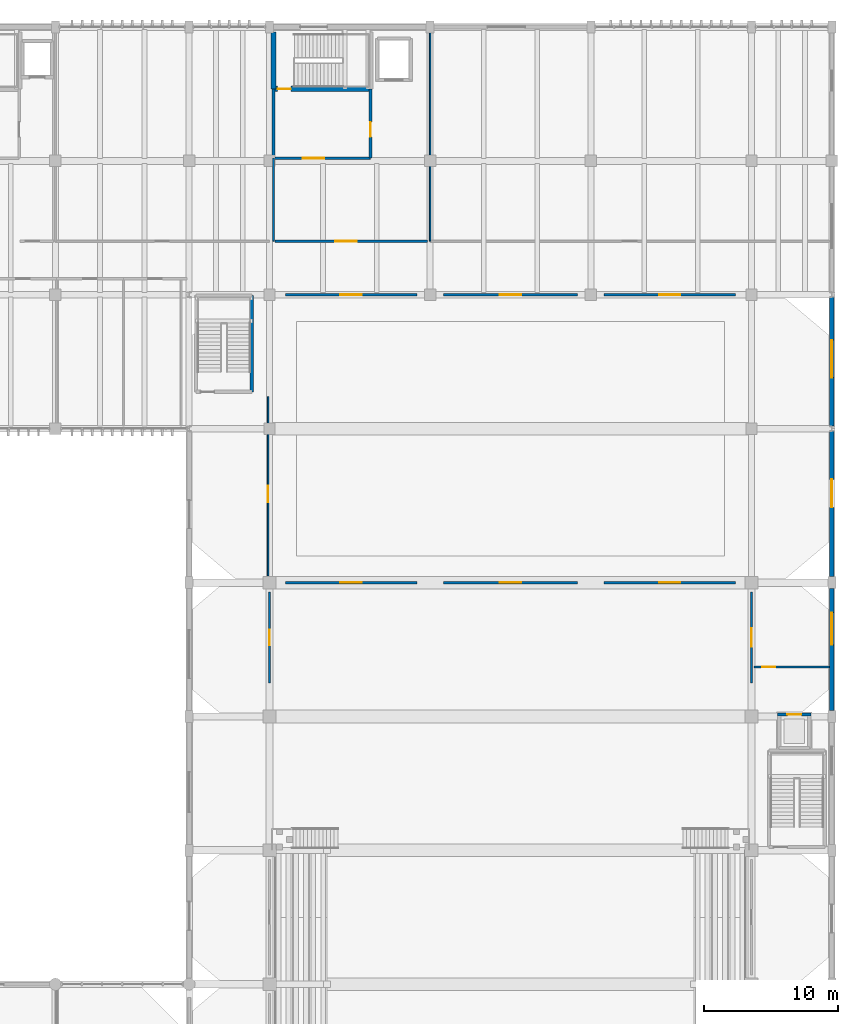
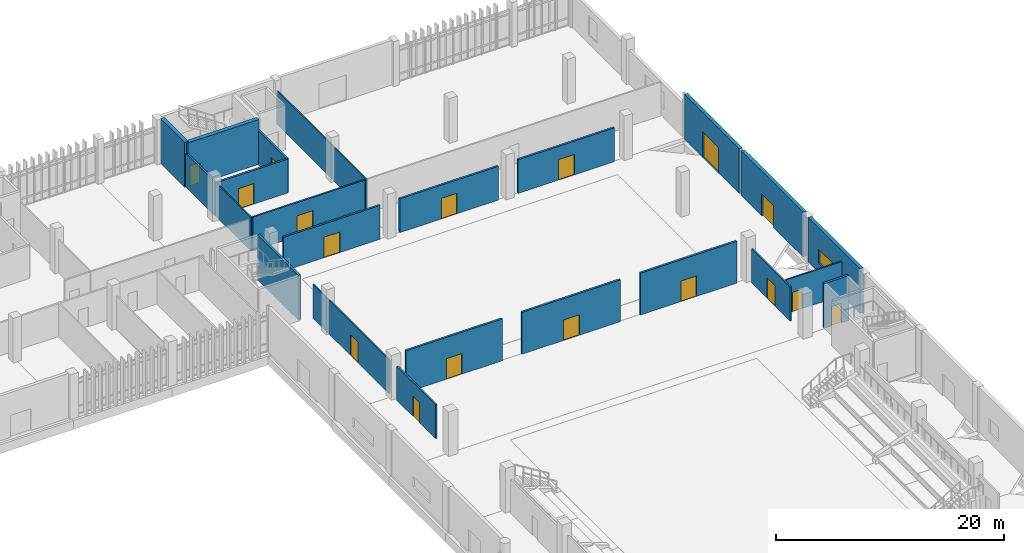
# One storey, part 77 of 87: 23 walls, 17 doors, 1 window, 18 openings.
"""IFC4 building model written with IfcOpenShell, lengths in metres."""

from ifc_helpers import new_model, si_unit, direction, frame, frame_2d, origin, place, context, subcontext, project, spatial, rectangle, extrude, material, layer, layer_set, type_object, element, fill, save


model = new_model("IFC4")

# Units and contexts
model_context = context("Model", 3, precision=1e-05, world=origin(), true_north=direction((0.0, 1.0)))
body_context = subcontext(model_context, "Body", "Model", "MODEL_VIEW")
ifc_project = project(units=[si_unit("LENGTHUNIT", "METRE"), si_unit("AREAUNIT", "SQUARE_METRE"), si_unit("VOLUMEUNIT", "CUBIC_METRE"), si_unit("PLANEANGLEUNIT", "RADIAN"), si_unit("MASSUNIT", "GRAM", prefix="KILO")], contexts=[model_context])

# Site, building, storey
site_placement = place(None, origin())
site = spatial("IfcSite", under=ifc_project, at=site_placement, CompositionType="ELEMENT")
building_placement = place(site_placement, origin())
building = spatial("IfcBuilding", under=site, at=building_placement, Name="Mersad Railyard Sports Hall", CompositionType="ELEMENT")
storey_placement = place(building_placement, origin())
storey = spatial("IfcBuildingStorey", under=building, at=storey_placement, Name="L00", CompositionType="ELEMENT", Elevation=0.0)

# Wall, opening, window
ifc_material_1 = material(Name="Architectural concrete C50/60", Category="concrete")
ifc_layer_1 = layer(ifc_material_1, 0.35009765625)
ifc_layer_set_1 = layer_set([ifc_layer_1], Name="Architectural concrete C50/60")
wall_type_1 = type_object("IfcWallType", Name="ARC-WL-EW02", PredefinedType="SOLIDWALL", material=ifc_layer_set_1)
wall_1_placement = place(storey_placement, frame((179.0, 73.050048828125, 0.0), z_axis=(0.0, 0.0, 1.0), x_axis=(0.0, -1.0, 0.0)))
wall_1 = element("IfcWall", 1, at=wall_1_placement, inside=storey, type_object=wall_type_1, Name="External wall EW02-0090", PredefinedType="SOLIDWALL", context=body_context, shape_type="SweptSolid", body=[
    extrude(rectangle(XDim=9.10009765625, YDim=0.35009765625, at=frame_2d((4.550048828125, 0.0))), origin(), (0.0, 0.0, 1.0), 4.800048828125),
])
opening_1_placement = place(wall_1_placement, frame((1.800048828125, 0.0, 1.0)))
opening_1 = element("IfcOpeningElement", 2, at=opening_1_placement, cuts=wall_1, Name="Opening W07", PredefinedType="OPENING", context=body_context, shape_type="SweptSolid", body=[
    extrude(rectangle(XDim=2.39990234375, YDim=1.5, at=frame_2d((1.199951171875, 0.75))), frame((0.0, 0.18505859375, 0.0), z_axis=(0.0, -1.0, 0.0), x_axis=(1.0, 0.0, 0.0)), (0.0, 0.0, 1.0), 0.3701171875),
])
ifc_material_2 = material(Name="Solar-control glass", Category="glass")
window_type = type_object("IfcWindowType", Name="ARC-WN-W07", PartitioningType="DOUBLE_PANEL_VERTICAL", PredefinedType="WINDOW", material=ifc_material_2)
window_placement = place(opening_1_placement, origin())
window = element("IfcWindow", 3, at=window_placement, inside=storey, type_object=window_type, Name="Window W07-0020", OverallHeight=1.5, OverallWidth=2.39990234375, PartitioningType="DOUBLE_PANEL_VERTICAL", PredefinedType="WINDOW", context=body_context, shape_type="SweptSolid", body=[
    extrude(rectangle(XDim=2.39990234375, YDim=1.5, at=frame_2d((1.199951171875, 0.75))), frame((0.0, 0.030029296875, 0.0), z_axis=(0.0, -1.0, 0.0), x_axis=(1.0, 0.0, 0.0)), (0.0, 0.0, 1.0), 0.06005859375),
])
fill(opening_1, window)

# Wall, opening, door
wall_2_placement = place(storey_placement, frame((179.0, 84.820068359375, 0.0), z_axis=(0.0, 0.0, 1.0), x_axis=(0.0, -1.0, 0.0)))
wall_2 = element("IfcWall", 4, at=wall_2_placement, inside=storey, type_object=wall_type_1, Name="External wall EW02-0091", PredefinedType="SOLIDWALL", context=body_context, shape_type="SweptSolid", body=[
    extrude(rectangle(XDim=10.8701171875, YDim=0.35009765625, at=frame_2d((5.43505859375, 0.0))), origin(), (0.0, 0.0, 1.0), 4.800048828125),
])
opening_2_placement = place(wall_2_placement, frame((3.60009765625, 0.0, 0.0)))
opening_2 = element("IfcOpeningElement", 5, at=opening_2_placement, cuts=wall_2, Name="Opening ED02", PredefinedType="OPENING", context=body_context, shape_type="SweptSolid", body=[
    extrude(rectangle(XDim=2.10009765625, YDim=2.35009765625, at=frame_2d((1.050048828125, 1.175048828125))), frame((0.0, 0.18505859375, 0.0), z_axis=(0.0, -1.0, 0.0), x_axis=(1.0, 0.0, 0.0)), (0.0, 0.0, 1.0), 0.3701171875),
])
ifc_material_3 = material(Name="Aluminium 6063-T6", Category="aluminium")
door_type_1 = type_object("IfcDoorType", Name="ARC-DR-ED02", OperationType="NOTDEFINED", PredefinedType="DOOR", material=ifc_material_3)
door_1_placement = place(opening_2_placement, origin())
door_1 = element("IfcDoor", 6, at=door_1_placement, inside=storey, type_object=door_type_1, Name="East concourse exit door ED02-027", OperationType="DOUBLE_DOOR_SINGLE_SWING", OverallHeight=2.35009765625, OverallWidth=2.10009765625, PredefinedType="DOOR", context=body_context, shape_type="SweptSolid", body=[
    extrude(rectangle(XDim=2.10009765625, YDim=2.35009765625, at=frame_2d((1.050048828125, 1.175048828125))), frame((0.0, 0.02490234375, 0.0), z_axis=(0.0, -1.0, 0.0), x_axis=(1.0, 0.0, 0.0)), (0.0, 0.0, 1.0), 0.050048828125),
])
fill(opening_2, door_1)

wall_3_placement = place(storey_placement, frame((179.0, 94.820068359375, 0.0), z_axis=(0.0, 0.0, 1.0), x_axis=(0.0, -1.0, 0.0)))
wall_3 = element("IfcWall", 7, at=wall_3_placement, inside=storey, type_object=wall_type_1, Name="External wall EW02-0092", PredefinedType="SOLIDWALL", context=body_context, shape_type="SweptSolid", body=[
    extrude(rectangle(XDim=9.64013671875, YDim=0.35009765625, at=frame_2d((4.820068359375, 0.0))), origin(), (0.0, 0.0, 1.0), 4.800048828125),
])
opening_3_placement = place(wall_3_placement, frame((3.199951171875, 0.0, 0.0)))
opening_3 = element("IfcOpeningElement", 8, at=opening_3_placement, cuts=wall_3, Name="Opening GT01", PredefinedType="OPENING", context=body_context, shape_type="SweptSolid", body=[
    extrude(rectangle(XDim=2.800048828125, YDim=2.699951171875, at=frame_2d((1.39990234375, 1.35009765625))), frame((0.0, 0.18505859375, 0.0), z_axis=(0.0, -1.0, 0.0), x_axis=(1.0, 0.0, 0.0)), (0.0, 0.0, 1.0), 0.3701171875),
])
ifc_material_4 = material(Name="Steel S355", Category="steel")
door_type_2 = type_object("IfcDoorType", Name="ARC-DR-GT01", OperationType="NOTDEFINED", PredefinedType="GATE", material=ifc_material_4)
door_2_placement = place(opening_3_placement, origin())
door_2 = element("IfcDoor", 9, at=door_2_placement, inside=storey, type_object=door_type_2, Name="Climbing equipment gate GT01-028", OperationType="DOUBLE_DOOR_SINGLE_SWING", OverallHeight=2.699951171875, OverallWidth=2.800048828125, PredefinedType="GATE", context=body_context, shape_type="SweptSolid", body=[
    extrude(rectangle(XDim=2.800048828125, YDim=2.699951171875, at=frame_2d((1.39990234375, 1.35009765625))), frame((0.0, 0.02490234375, 0.0), z_axis=(0.0, -1.0, 0.0), x_axis=(1.0, 0.0, 0.0)), (0.0, 0.0, 1.0), 0.050048828125),
])
fill(opening_3, door_2)

# Wall
ifc_material_5 = material(Name="Precast concrete C45/55", Category="concrete")
ifc_layer_2 = layer(ifc_material_5, 0.199951171875)
ifc_layer_set_2 = layer_set([ifc_layer_2], Name="Precast concrete C45/55")
wall_type_2 = type_object("IfcWallType", Name="ARC-WL-PT01", PredefinedType="PARTITIONING", material=ifc_layer_set_2)
wall_4_placement = place(storey_placement, frame((137.300048828125, 105.199951171875, 0.0), z_axis=(0.0, 0.0, 1.0), x_axis=(0.0, 1.0, 0.0)))
element("IfcWall", 10, at=wall_4_placement, inside=storey, type_object=wall_type_2, Name="Interior wall PT01-0287", PredefinedType="PARTITIONING", context=body_context, shape_type="SweptSolid", body=[
    extrude(rectangle(XDim=5.179931640625, YDim=0.199951171875, at=frame_2d((2.58984375, 0.0))), origin(), (0.0, 0.0, 1.0), 3.625),
])

# Wall, opening, door
wall_5_placement = place(storey_placement, frame((137.300048828125, 105.199951171875, 0.0), z_axis=(0.0, 0.0, 1.0), x_axis=(1.0, 0.0, 0.0)))
wall_5 = element("IfcWall", 11, at=wall_5_placement, inside=storey, type_object=wall_type_2, Name="Interior wall PT01-0288", PredefinedType="PARTITIONING", context=body_context, shape_type="SweptSolid", body=[
    extrude(rectangle(XDim=7.25, YDim=0.199951171875, at=frame_2d((3.625, 0.0))), origin(), (0.0, 0.0, 1.0), 3.625),
])
opening_4_placement = place(wall_5_placement, frame((2.199951171875, 0.0, 0.0)))
opening_4 = element("IfcOpeningElement", 12, at=opening_4_placement, cuts=wall_5, Name="Opening FD04", PredefinedType="OPENING", context=body_context, shape_type="SweptSolid", body=[
    extrude(rectangle(XDim=1.60009765625, YDim=2.199951171875, at=frame_2d((0.800048828125, 1.10009765625))), frame((0.0, 0.10986328125, 0.0), z_axis=(0.0, -1.0, 0.0), x_axis=(1.0, 0.0, 0.0)), (0.0, 0.0, 1.0), 0.219970703125),
])
door_type_3 = type_object("IfcDoorType", Name="ARC-DR-FD04", OperationType="NOTDEFINED", PredefinedType="DOOR", material=ifc_material_4)
door_3_placement = place(opening_4_placement, origin())
door_3 = element("IfcDoor", 13, at=door_3_placement, inside=storey, type_object=door_type_3, Name="C4 firefighting lobby door FD04-0130", OperationType="DOUBLE_DOOR_SINGLE_SWING", OverallHeight=2.199951171875, OverallWidth=1.60009765625, PredefinedType="DOOR", context=body_context, shape_type="SweptSolid", body=[
    extrude(rectangle(XDim=1.60009765625, YDim=2.199951171875, at=frame_2d((0.800048828125, 1.10009765625))), frame((0.0, 0.02490234375, 0.0), z_axis=(0.0, -1.0, 0.0), x_axis=(1.0, 0.0, 0.0)), (0.0, 0.0, 1.0), 0.050048828125),
])
fill(opening_4, door_3)

wall_6_placement = place(storey_placement, frame((144.550048828125, 105.199951171875, 0.0), z_axis=(0.0, 0.0, 1.0), x_axis=(0.0, 1.0, 0.0)))
wall_6 = element("IfcWall", 14, at=wall_6_placement, inside=storey, type_object=wall_type_2, Name="Interior wall PT01-0289", PredefinedType="PARTITIONING", context=body_context, shape_type="SweptSolid", body=[
    extrude(rectangle(XDim=5.179931640625, YDim=0.199951171875, at=frame_2d((2.58984375, 0.0))), origin(), (0.0, 0.0, 1.0), 3.625),
])
opening_5_placement = place(wall_6_placement, frame((1.60009765625, 0.0, 0.0)))
opening_5 = element("IfcOpeningElement", 15, at=opening_5_placement, cuts=wall_6, Name="Opening FD01", PredefinedType="OPENING", context=body_context, shape_type="SweptSolid", body=[
    extrude(rectangle(XDim=1.10009765625, YDim=2.14990234375, at=frame_2d((0.550048828125, 1.074951171875))), frame((0.0, 0.10986328125, 0.0), z_axis=(0.0, -1.0, 0.0), x_axis=(1.0, 0.0, 0.0)), (0.0, 0.0, 1.0), 0.219970703125),
])
door_type_4 = type_object("IfcDoorType", Name="ARC-DR-FD01", OperationType="NOTDEFINED", PredefinedType="DOOR", material=ifc_material_4)
door_4_placement = place(opening_5_placement, origin())
door_4 = element("IfcDoor", 16, at=door_4_placement, inside=storey, type_object=door_type_4, Name="C4 lift-to-firefighting lobby door FD01-0131", OperationType="SINGLE_SWING_LEFT", OverallHeight=2.14990234375, OverallWidth=1.10009765625, PredefinedType="DOOR", context=body_context, shape_type="SweptSolid", body=[
    extrude(rectangle(XDim=1.10009765625, YDim=2.14990234375, at=frame_2d((0.550048828125, 1.074951171875))), frame((0.0, 0.02490234375, 0.0), z_axis=(0.0, -1.0, 0.0), x_axis=(1.0, 0.0, 0.0)), (0.0, 0.0, 1.0), 0.050048828125),
])
fill(opening_5, door_4)

wall_7_placement = place(storey_placement, frame((138.199951171875, 73.5, 0.0), z_axis=(0.0, 0.0, 1.0), x_axis=(1.0, 0.0, 0.0)))
wall_7 = element("IfcWall", 17, at=wall_7_placement, inside=storey, type_object=wall_type_2, Name="Interior wall PT01-0551", PredefinedType="PARTITIONING", context=body_context, shape_type="SweptSolid", body=[
    extrude(rectangle(XDim=9.800048828125, YDim=0.199951171875, at=frame_2d((4.89990234375, 0.0))), origin(), (0.0, 0.0, 1.0), 4.489990234375),
])
opening_6_placement = place(wall_7_placement, frame((4.10009765625, 0.0, 0.0)))
opening_6 = element("IfcOpeningElement", 18, at=opening_6_placement, cuts=wall_7, Name="Opening FD04", PredefinedType="OPENING", context=body_context, shape_type="SweptSolid", body=[
    extrude(rectangle(XDim=1.60009765625, YDim=2.199951171875, at=frame_2d((0.800048828125, 1.10009765625))), frame((0.0, 0.10986328125, 0.0), z_axis=(0.0, -1.0, 0.0), x_axis=(1.0, 0.0, 0.0)), (0.0, 0.0, 1.0), 0.219970703125),
])
door_5_placement = place(opening_6_placement, origin())
door_5 = element("IfcDoor", 19, at=door_5_placement, inside=storey, type_object=door_type_3, Name="Show court to climbing hall door FD04-0254", OperationType="DOUBLE_DOOR_SINGLE_SWING", OverallHeight=2.199951171875, OverallWidth=1.60009765625, PredefinedType="DOOR", context=body_context, shape_type="SweptSolid", body=[
    extrude(rectangle(XDim=1.60009765625, YDim=2.199951171875, at=frame_2d((0.800048828125, 1.10009765625))), frame((0.0, 0.02490234375, 0.0), z_axis=(0.0, -1.0, 0.0), x_axis=(1.0, 0.0, 0.0)), (0.0, 0.0, 1.0), 0.050048828125),
])
fill(opening_6, door_5)

wall_8_placement = place(storey_placement, frame((138.199951171875, 95.0, 0.0), z_axis=(0.0, 0.0, 1.0), x_axis=(1.0, 0.0, 0.0)))
wall_8 = element("IfcWall", 20, at=wall_8_placement, inside=storey, type_object=wall_type_2, Name="Interior wall PT01-0552", PredefinedType="PARTITIONING", context=body_context, shape_type="SweptSolid", body=[
    extrude(rectangle(XDim=9.800048828125, YDim=0.199951171875, at=frame_2d((4.89990234375, 0.0))), origin(), (0.0, 0.0, 1.0), 3.625),
])
opening_7_placement = place(wall_8_placement, frame((4.10009765625, 0.0, 0.0)))
opening_7 = element("IfcOpeningElement", 21, at=opening_7_placement, cuts=wall_8, Name="Opening FD04", PredefinedType="OPENING", context=body_context, shape_type="SweptSolid", body=[
    extrude(rectangle(XDim=1.60009765625, YDim=2.199951171875, at=frame_2d((0.800048828125, 1.10009765625))), frame((0.0, 0.10986328125, 0.0), z_axis=(0.0, -1.0, 0.0), x_axis=(1.0, 0.0, 0.0)), (0.0, 0.0, 1.0), 0.219970703125),
])
door_6_placement = place(opening_7_placement, origin())
door_6 = element("IfcDoor", 22, at=door_6_placement, inside=storey, type_object=door_type_3, Name="Climbing hall to wing door FD04-0255", OperationType="DOUBLE_DOOR_SINGLE_SWING", OverallHeight=2.199951171875, OverallWidth=1.60009765625, PredefinedType="DOOR", context=body_context, shape_type="SweptSolid", body=[
    extrude(rectangle(XDim=1.60009765625, YDim=2.199951171875, at=frame_2d((0.800048828125, 1.10009765625))), frame((0.0, 0.02490234375, 0.0), z_axis=(0.0, -1.0, 0.0), x_axis=(1.0, 0.0, 0.0)), (0.0, 0.0, 1.0), 0.050048828125),
])
fill(opening_7, door_6)

wall_9_placement = place(storey_placement, frame((150.0, 73.5, 0.0), z_axis=(0.0, 0.0, 1.0), x_axis=(1.0, 0.0, 0.0)))
wall_9 = element("IfcWall", 23, at=wall_9_placement, inside=storey, type_object=wall_type_2, Name="Interior wall PT01-0553", PredefinedType="PARTITIONING", context=body_context, shape_type="SweptSolid", body=[
    extrude(rectangle(XDim=10.0, YDim=0.199951171875, at=frame_2d((5.0, 0.0))), origin(), (0.0, 0.0, 1.0), 4.489990234375),
])
opening_8_placement = place(wall_9_placement, frame((4.199951171875, 0.0, 0.0)))
opening_8 = element("IfcOpeningElement", 24, at=opening_8_placement, cuts=wall_9, Name="Opening FD04", PredefinedType="OPENING", context=body_context, shape_type="SweptSolid", body=[
    extrude(rectangle(XDim=1.60009765625, YDim=2.199951171875, at=frame_2d((0.800048828125, 1.10009765625))), frame((0.0, 0.10986328125, 0.0), z_axis=(0.0, -1.0, 0.0), x_axis=(1.0, 0.0, 0.0)), (0.0, 0.0, 1.0), 0.219970703125),
])
door_7_placement = place(opening_8_placement, origin())
door_7 = element("IfcDoor", 25, at=door_7_placement, inside=storey, type_object=door_type_3, Name="Show court to climbing hall door FD04-0256", OperationType="DOUBLE_DOOR_SINGLE_SWING", OverallHeight=2.199951171875, OverallWidth=1.60009765625, PredefinedType="DOOR", context=body_context, shape_type="SweptSolid", body=[
    extrude(rectangle(XDim=1.60009765625, YDim=2.199951171875, at=frame_2d((0.800048828125, 1.10009765625))), frame((0.0, 0.02490234375, 0.0), z_axis=(0.0, -1.0, 0.0), x_axis=(1.0, 0.0, 0.0)), (0.0, 0.0, 1.0), 0.050048828125),
])
fill(opening_8, door_7)

wall_10_placement = place(storey_placement, frame((150.0, 95.0, 0.0), z_axis=(0.0, 0.0, 1.0), x_axis=(1.0, 0.0, 0.0)))
wall_10 = element("IfcWall", 26, at=wall_10_placement, inside=storey, type_object=wall_type_2, Name="Interior wall PT01-0554", PredefinedType="PARTITIONING", context=body_context, shape_type="SweptSolid", body=[
    extrude(rectangle(XDim=10.0, YDim=0.199951171875, at=frame_2d((5.0, 0.0))), origin(), (0.0, 0.0, 1.0), 3.625),
])
opening_9_placement = place(wall_10_placement, frame((4.199951171875, 0.0, 0.0)))
opening_9 = element("IfcOpeningElement", 27, at=opening_9_placement, cuts=wall_10, Name="Opening FD04", PredefinedType="OPENING", context=body_context, shape_type="SweptSolid", body=[
    extrude(rectangle(XDim=1.60009765625, YDim=2.199951171875, at=frame_2d((0.800048828125, 1.10009765625))), frame((0.0, 0.10986328125, 0.0), z_axis=(0.0, -1.0, 0.0), x_axis=(1.0, 0.0, 0.0)), (0.0, 0.0, 1.0), 0.219970703125),
])
door_8_placement = place(opening_9_placement, origin())
door_8 = element("IfcDoor", 28, at=door_8_placement, inside=storey, type_object=door_type_3, Name="Climbing hall to wing door FD04-0257", OperationType="DOUBLE_DOOR_SINGLE_SWING", OverallHeight=2.199951171875, OverallWidth=1.60009765625, PredefinedType="DOOR", context=body_context, shape_type="SweptSolid", body=[
    extrude(rectangle(XDim=1.60009765625, YDim=2.199951171875, at=frame_2d((0.800048828125, 1.10009765625))), frame((0.0, 0.02490234375, 0.0), z_axis=(0.0, -1.0, 0.0), x_axis=(1.0, 0.0, 0.0)), (0.0, 0.0, 1.0), 0.050048828125),
])
fill(opening_9, door_8)

wall_11_placement = place(storey_placement, frame((162.0, 73.5, 0.0), z_axis=(0.0, 0.0, 1.0), x_axis=(1.0, 0.0, 0.0)))
wall_11 = element("IfcWall", 29, at=wall_11_placement, inside=storey, type_object=wall_type_2, Name="Interior wall PT01-0555", PredefinedType="PARTITIONING", context=body_context, shape_type="SweptSolid", body=[
    extrude(rectangle(XDim=9.800048828125, YDim=0.199951171875, at=frame_2d((4.89990234375, 0.0))), origin(), (0.0, 0.0, 1.0), 4.489990234375),
])
opening_10_placement = place(wall_11_placement, frame((4.10009765625, 0.0, 0.0)))
opening_10 = element("IfcOpeningElement", 30, at=opening_10_placement, cuts=wall_11, Name="Opening FD04", PredefinedType="OPENING", context=body_context, shape_type="SweptSolid", body=[
    extrude(rectangle(XDim=1.60009765625, YDim=2.199951171875, at=frame_2d((0.800048828125, 1.10009765625))), frame((0.0, 0.10986328125, 0.0), z_axis=(0.0, -1.0, 0.0), x_axis=(1.0, 0.0, 0.0)), (0.0, 0.0, 1.0), 0.219970703125),
])
door_9_placement = place(opening_10_placement, origin())
door_9 = element("IfcDoor", 31, at=door_9_placement, inside=storey, type_object=door_type_3, Name="Show court to climbing hall door FD04-0258", OperationType="DOUBLE_DOOR_SINGLE_SWING", OverallHeight=2.199951171875, OverallWidth=1.60009765625, PredefinedType="DOOR", context=body_context, shape_type="SweptSolid", body=[
    extrude(rectangle(XDim=1.60009765625, YDim=2.199951171875, at=frame_2d((0.800048828125, 1.10009765625))), frame((0.0, 0.02490234375, 0.0), z_axis=(0.0, -1.0, 0.0), x_axis=(1.0, 0.0, 0.0)), (0.0, 0.0, 1.0), 0.050048828125),
])
fill(opening_10, door_9)

wall_12_placement = place(storey_placement, frame((162.0, 95.0, 0.0), z_axis=(0.0, 0.0, 1.0), x_axis=(1.0, 0.0, 0.0)))
wall_12 = element("IfcWall", 32, at=wall_12_placement, inside=storey, type_object=wall_type_2, Name="Interior wall PT01-0556", PredefinedType="PARTITIONING", context=body_context, shape_type="SweptSolid", body=[
    extrude(rectangle(XDim=9.800048828125, YDim=0.199951171875, at=frame_2d((4.89990234375, 0.0))), origin(), (0.0, 0.0, 1.0), 3.625),
])
opening_11_placement = place(wall_12_placement, frame((4.10009765625, 0.0, 0.0)))
opening_11 = element("IfcOpeningElement", 33, at=opening_11_placement, cuts=wall_12, Name="Opening FD04", PredefinedType="OPENING", context=body_context, shape_type="SweptSolid", body=[
    extrude(rectangle(XDim=1.60009765625, YDim=2.199951171875, at=frame_2d((0.800048828125, 1.10009765625))), frame((0.0, 0.10986328125, 0.0), z_axis=(0.0, -1.0, 0.0), x_axis=(1.0, 0.0, 0.0)), (0.0, 0.0, 1.0), 0.219970703125),
])
door_10_placement = place(opening_11_placement, origin())
door_10 = element("IfcDoor", 34, at=door_10_placement, inside=storey, type_object=door_type_3, Name="Climbing hall to wing door FD04-0259", OperationType="DOUBLE_DOOR_SINGLE_SWING", OverallHeight=2.199951171875, OverallWidth=1.60009765625, PredefinedType="DOOR", context=body_context, shape_type="SweptSolid", body=[
    extrude(rectangle(XDim=1.60009765625, YDim=2.199951171875, at=frame_2d((0.800048828125, 1.10009765625))), frame((0.0, 0.02490234375, 0.0), z_axis=(0.0, -1.0, 0.0), x_axis=(1.0, 0.0, 0.0)), (0.0, 0.0, 1.0), 0.050048828125),
])
fill(opening_11, door_10)

ifc_material_6 = material(Name="Gypsum plasterboard", Category="gypsum")
ifc_layer_3 = layer(ifc_material_6, 0.159912109375)
ifc_layer_set_3 = layer_set([ifc_layer_3], Name="Gypsum plasterboard")
wall_type_3 = type_object("IfcWallType", Name="ARC-WL-PT02", PredefinedType="PARTITIONING", material=ifc_layer_set_3)
wall_13_placement = place(storey_placement, frame((137.39990234375, 99.0, 0.0), z_axis=(0.0, 0.0, 1.0), x_axis=(1.0, 0.0, 0.0)))
wall_13 = element("IfcWall", 35, at=wall_13_placement, inside=storey, type_object=wall_type_3, Name="Interior wall PT02-0290", PredefinedType="PARTITIONING", context=body_context, shape_type="SweptSolid", body=[
    extrude(rectangle(XDim=11.400146484375, YDim=0.159912109375, at=frame_2d((5.7001953125, 0.0))), origin(), (0.0, 0.0, 1.0), 3.625),
])
opening_12_placement = place(wall_13_placement, frame((4.5, 0.0, 0.0)))
opening_12 = element("IfcOpeningElement", 36, at=opening_12_placement, cuts=wall_13, Name="Opening FD04", PredefinedType="OPENING", context=body_context, shape_type="SweptSolid", body=[
    extrude(rectangle(XDim=1.60009765625, YDim=2.199951171875, at=frame_2d((0.800048828125, 1.10009765625))), frame((0.0, 0.08984375, 0.0), z_axis=(0.0, -1.0, 0.0), x_axis=(1.0, 0.0, 0.0)), (0.0, 0.0, 1.0), 0.179931640625),
])
door_11_placement = place(opening_12_placement, origin())
door_11 = element("IfcDoor", 37, at=door_11_placement, inside=storey, type_object=door_type_3, Name="C4 lift lobby corridor door FD04-0132", OperationType="DOUBLE_DOOR_SINGLE_SWING", OverallHeight=2.199951171875, OverallWidth=1.60009765625, PredefinedType="DOOR", context=body_context, shape_type="SweptSolid", body=[
    extrude(rectangle(XDim=1.60009765625, YDim=2.199951171875, at=frame_2d((0.800048828125, 1.10009765625))), frame((0.0, 0.02490234375, 0.0), z_axis=(0.0, -1.0, 0.0), x_axis=(1.0, 0.0, 0.0)), (0.0, 0.0, 1.0), 0.050048828125),
])
fill(opening_12, door_11)

wall_14_placement = place(storey_placement, frame((137.0, 66.0, 0.0), z_axis=(0.0, 0.0, 1.0), x_axis=(0.0, 1.0, 0.0)))
wall_14 = element("IfcWall", 38, at=wall_14_placement, inside=storey, type_object=wall_type_3, Name="Interior wall PT02-0565", PredefinedType="PARTITIONING", context=body_context, shape_type="SweptSolid", body=[
    extrude(rectangle(XDim=6.800048828125, YDim=0.159912109375, at=frame_2d((3.39990234375, 0.0))), origin(), (0.0, 0.0, 1.0), 3.64501953125),
])
opening_13_placement = place(wall_14_placement, frame((2.824951171875, 0.0, 0.0)))
opening_13 = element("IfcOpeningElement", 39, at=opening_13_placement, cuts=wall_14, Name="Opening FD08", PredefinedType="OPENING", context=body_context, shape_type="SweptSolid", body=[
    extrude(rectangle(XDim=1.14990234375, YDim=2.14990234375, at=frame_2d((0.574951171875, 1.074951171875))), frame((0.0, 0.08984375, 0.0), z_axis=(0.0, -1.0, 0.0), x_axis=(1.0, 0.0, 0.0)), (0.0, 0.0, 1.0), 0.179931640625),
])
door_type_5 = type_object("IfcDoorType", Name="ARC-DR-FD08", OperationType="NOTDEFINED", PredefinedType="DOOR", material=ifc_material_4)
door_12_placement = place(opening_13_placement, origin())
door_12 = element("IfcDoor", 40, at=door_12_placement, inside=storey, type_object=door_type_5, Name="West concourse arena door FD08-0268", OperationType="SINGLE_SWING_LEFT", OverallHeight=2.14990234375, OverallWidth=1.14990234375, PredefinedType="DOOR", context=body_context, shape_type="SweptSolid", body=[
    extrude(rectangle(XDim=1.14990234375, YDim=2.14990234375, at=frame_2d((0.574951171875, 1.074951171875))), frame((0.0, 0.02490234375, 0.0), z_axis=(0.0, -1.0, 0.0), x_axis=(1.0, 0.0, 0.0)), (0.0, 0.0, 1.0), 0.050048828125),
])
fill(opening_13, door_12)

wall_15_placement = place(storey_placement, frame((173.0, 66.0, 0.0), z_axis=(0.0, 0.0, 1.0), x_axis=(0.0, 1.0, 0.0)))
wall_15 = element("IfcWall", 41, at=wall_15_placement, inside=storey, type_object=wall_type_3, Name="Interior wall PT02-0566", PredefinedType="PARTITIONING", context=body_context, shape_type="SweptSolid", body=[
    extrude(rectangle(XDim=6.800048828125, YDim=0.159912109375, at=frame_2d((3.39990234375, 0.0))), origin(), (0.0, 0.0, 1.0), 3.64501953125),
])
opening_14_placement = place(wall_15_placement, frame((2.699951171875, 0.0, 0.0)))
opening_14 = element("IfcOpeningElement", 42, at=opening_14_placement, cuts=wall_15, Name="Opening FD09", PredefinedType="OPENING", context=body_context, shape_type="SweptSolid", body=[
    extrude(rectangle(XDim=1.39990234375, YDim=2.199951171875, at=frame_2d((0.699951171875, 1.10009765625))), frame((0.0, 0.08984375, 0.0), z_axis=(0.0, -1.0, 0.0), x_axis=(1.0, 0.0, 0.0)), (0.0, 0.0, 1.0), 0.179931640625),
])
door_type_6 = type_object("IfcDoorType", Name="ARC-DR-FD09", OperationType="NOTDEFINED", PredefinedType="DOOR", material=ifc_material_4)
door_13_placement = place(opening_14_placement, origin())
door_13 = element("IfcDoor", 43, at=door_13_placement, inside=storey, type_object=door_type_6, Name="East concourse arena door FD09-0269", OperationType="SINGLE_SWING_RIGHT", OverallHeight=2.199951171875, OverallWidth=1.39990234375, PredefinedType="DOOR", context=body_context, shape_type="SweptSolid", body=[
    extrude(rectangle(XDim=1.39990234375, YDim=2.199951171875, at=frame_2d((0.699951171875, 1.10009765625))), frame((0.0, 0.02490234375, 0.0), z_axis=(0.0, -1.0, 0.0), x_axis=(1.0, 0.0, 0.0)), (0.0, 0.0, 1.0), 0.050048828125),
])
fill(opening_14, door_13)

ifc_layer_4 = layer(ifc_material_6, 0.139892578125)
ifc_layer_set_4 = layer_set([ifc_layer_4], Name="Gypsum plasterboard")
wall_type_4 = type_object("IfcWallType", Name="ARC-WL-PT03", PredefinedType="PARTITIONING", material=ifc_layer_set_4)
wall_16_placement = place(storey_placement, frame((173.199951171875, 67.199951171875, 0.0), z_axis=(0.0, 0.0, 1.0), x_axis=(1.0, 0.0, 0.0)))
wall_16 = element("IfcWall", 44, at=wall_16_placement, inside=storey, type_object=wall_type_4, Name="Interior wall PT03-0374", PredefinedType="PARTITIONING", context=body_context, shape_type="SweptSolid", body=[
    extrude(rectangle(XDim=5.6201171875, YDim=0.139892578125, at=frame_2d((2.81005859375, 0.0))), origin(), (0.0, 0.0, 1.0), 3.64501953125),
])
opening_15_placement = place(wall_16_placement, frame((0.60009765625, 0.0, 0.0)))
opening_15 = element("IfcOpeningElement", 45, at=opening_15_placement, cuts=wall_16, Name="Opening FD06", PredefinedType="OPENING", context=body_context, shape_type="SweptSolid", body=[
    extrude(rectangle(XDim=0.97998046875, YDim=2.10009765625, at=frame_2d((0.489990234375, 1.050048828125))), frame((0.0, 0.079833984375, 0.0), z_axis=(0.0, -1.0, 0.0), x_axis=(1.0, 0.0, 0.0)), (0.0, 0.0, 1.0), 0.159912109375),
])
door_type_7 = type_object("IfcDoorType", Name="ARC-DR-FD06", OperationType="NOTDEFINED", PredefinedType="DOOR", material=ifc_material_4)
door_14_placement = place(opening_15_placement, origin())
door_14 = element("IfcDoor", 46, at=door_14_placement, inside=storey, type_object=door_type_7, Name="Show court east lift lobby door FD06-0165", OperationType="SINGLE_SWING_RIGHT", OverallHeight=2.10009765625, OverallWidth=0.97998046875, PredefinedType="DOOR", context=body_context, shape_type="SweptSolid", body=[
    extrude(rectangle(XDim=0.97998046875, YDim=2.10009765625, at=frame_2d((0.489990234375, 1.050048828125))), frame((0.0, 0.02490234375, 0.0), z_axis=(0.0, -1.0, 0.0), x_axis=(1.0, 0.0, 0.0)), (0.0, 0.0, 1.0), 0.050048828125),
])
fill(opening_15, door_14)

ifc_layer_5 = layer(ifc_material_6, 0.1201171875)
ifc_layer_set_5 = layer_set([ifc_layer_5], Name="Gypsum plasterboard")
wall_type_5 = type_object("IfcWallType", Name="ARC-WL-PT04", PredefinedType="PARTITIONING", material=ifc_layer_set_5)
wall_17_placement = place(storey_placement, frame((136.89990234375, 74.0, 0.0), z_axis=(0.0, 0.0, 1.0), x_axis=(0.0, 1.0, 0.0)))
wall_17 = element("IfcWall", 47, at=wall_17_placement, inside=storey, type_object=wall_type_5, Name="Interior wall PT04-0377", PredefinedType="PARTITIONING", context=body_context, shape_type="SweptSolid", body=[
    extrude(rectangle(XDim=13.39990234375, YDim=0.1201171875, at=frame_2d((6.699951171875, 0.0))), origin(), (0.0, 0.0, 1.0), 3.64501953125),
])
opening_16_placement = place(wall_17_placement, frame((5.5, 0.0, 0.0)))
opening_16 = element("IfcOpeningElement", 48, at=opening_16_placement, cuts=wall_17, Name="Opening ID06", PredefinedType="OPENING", context=body_context, shape_type="SweptSolid", body=[
    extrude(rectangle(XDim=1.25, YDim=2.199951171875, at=frame_2d((0.625, 1.10009765625))), frame((0.0, 0.070068359375, 0.0), z_axis=(0.0, -1.0, 0.0), x_axis=(1.0, 0.0, 0.0)), (0.0, 0.0, 1.0), 0.14013671875),
])
door_type_8 = type_object("IfcDoorType", Name="ARC-DR-ID06", OperationType="NOTDEFINED", PredefinedType="DOOR", material=ifc_material_3)
door_15_placement = place(opening_16_placement, origin())
door_15 = element("IfcDoor", 49, at=door_15_placement, inside=storey, type_object=door_type_8, Name="Climbing briefing room door ID06-0168", OperationType="SINGLE_SWING_LEFT", OverallHeight=2.199951171875, OverallWidth=1.25, PredefinedType="DOOR", context=body_context, shape_type="SweptSolid", body=[
    extrude(rectangle(XDim=1.25, YDim=2.199951171875, at=frame_2d((0.625, 1.10009765625))), frame((0.0, 0.02490234375, 0.0), z_axis=(0.0, -1.0, 0.0), x_axis=(1.0, 0.0, 0.0)), (0.0, 0.0, 1.0), 0.050048828125),
])
fill(opening_16, door_15)

# Walls
wall_18_placement = place(storey_placement, frame((137.300048828125, 99.0, 0.0), z_axis=(0.0, 0.0, 1.0), x_axis=(0.0, 1.0, 0.0)))
element("IfcWall", 50, at=wall_18_placement, inside=storey, type_object=wall_type_5, Name="Interior wall PT04-0428", PredefinedType="PARTITIONING", context=body_context, shape_type="SweptSolid", body=[
    extrude(rectangle(XDim=6.199951171875, YDim=0.1201171875, at=frame_2d((3.10009765625, 0.0))), origin(), (0.0, 0.0, 1.0), 3.625),
])
wall_19_placement = place(storey_placement, frame((149.0, 99.0, 0.0), z_axis=(0.0, 0.0, 1.0), x_axis=(0.0, 1.0, 0.0)))
element("IfcWall", 51, at=wall_19_placement, inside=storey, type_object=wall_type_5, Name="Interior wall PT04-0430", PredefinedType="PARTITIONING", context=body_context, shape_type="SweptSolid", body=[
    extrude(rectangle(XDim=15.75, YDim=0.1201171875, at=frame_2d((7.875, 0.0))), origin(), (0.0, 0.0, 1.0), 3.625),
])

# Wall, opening, door
ifc_material_7 = material(Name="Concrete C50/60", Category="concrete")
ifc_layer_6 = layer(ifc_material_7, 0.39990234375)
ifc_layer_set_6 = layer_set([ifc_layer_6], Name="Concrete C50/60")
wall_type_6 = type_object("IfcWallType", Name="STR-WL-SW01", PredefinedType="SHEAR", material=ifc_layer_set_6)
wall_20_placement = place(storey_placement, frame((137.300048828125, 110.3798828125, 0.0), z_axis=(0.0, 0.0, 1.0), x_axis=(1.0, 0.0, 0.0)))
wall_20 = element("IfcWall", 52, at=wall_20_placement, inside=storey, type_object=wall_type_6, Name="Interior wall SW01-0284", PredefinedType="SHEAR", context=body_context, shape_type="SweptSolid", body=[
    extrude(rectangle(XDim=7.25, YDim=0.39990234375, at=frame_2d((3.625, 0.0))), origin(), (0.0, 0.0, 1.0), 4.800048828125),
])
opening_17_placement = place(wall_20_placement, frame((0.300048828125, 0.0, 0.0)))
opening_17 = element("IfcOpeningElement", 53, at=opening_17_placement, cuts=wall_20, Name="Opening FD02", PredefinedType="OPENING", context=body_context, shape_type="SweptSolid", body=[
    extrude(rectangle(XDim=1.0, YDim=2.14990234375, at=frame_2d((0.5, 1.074951171875))), frame((0.0, 0.2099609375, 0.0), z_axis=(0.0, -1.0, 0.0), x_axis=(1.0, 0.0, 0.0)), (0.0, 0.0, 1.0), 0.419921875),
])
door_type_9 = type_object("IfcDoorType", Name="ARC-DR-FD02", OperationType="NOTDEFINED", PredefinedType="DOOR", material=ifc_material_4)
door_16_placement = place(opening_17_placement, origin())
door_16 = element("IfcDoor", 54, at=door_16_placement, inside=storey, type_object=door_type_9, Name="C4 stair entrance door FD02-0129", OperationType="SINGLE_SWING_RIGHT", OverallHeight=2.14990234375, OverallWidth=1.0, PredefinedType="DOOR", context=body_context, shape_type="SweptSolid", body=[
    extrude(rectangle(XDim=1.0, YDim=2.14990234375, at=frame_2d((0.5, 1.074951171875))), frame((0.0, 0.02490234375, 0.0), z_axis=(0.0, -1.0, 0.0), x_axis=(1.0, 0.0, 0.0)), (0.0, 0.0, 1.0), 0.050048828125),
])
fill(opening_17, door_16)

# Wall
wall_21_placement = place(storey_placement, frame((137.300048828125, 114.6201171875, 0.0), z_axis=(0.0, 0.0, 1.0), x_axis=(0.0, -1.0, 0.0)))
element("IfcWall", 55, at=wall_21_placement, inside=storey, type_object=wall_type_6, Name="Interior wall SW01-0286", PredefinedType="SHEAR", context=body_context, shape_type="SweptSolid", body=[
    extrude(rectangle(XDim=4.240234375, YDim=0.39990234375, at=frame_2d((2.1201171875, 0.0))), origin(), (0.0, 0.0, 1.0), 4.800048828125),
])

# Wall, opening, door
ifc_material_8 = material(Name="Concrete C40/50", Category="concrete")
ifc_layer_7 = layer(ifc_material_8, 0.239990234375)
ifc_layer_set_7 = layer_set([ifc_layer_7], Name="Concrete C40/50")
wall_type_7 = type_object("IfcWallType", Name="STR-WL-SW03", PredefinedType="SHEAR", material=ifc_layer_set_7)
wall_22_placement = place(storey_placement, frame((174.955078125, 63.64990234375, 0.0), z_axis=(0.0, 0.0, 1.0), x_axis=(1.0, 0.0, 0.0)))
wall_22 = element("IfcWall", 56, at=wall_22_placement, inside=storey, type_object=wall_type_7, Name="Interior wall SW03-0102", PredefinedType="SHEAR", context=body_context, shape_type="SweptSolid", body=[
    extrude(rectangle(XDim=2.489990234375, YDim=0.239990234375, at=frame_2d((1.2451171875, 0.0))), origin(), (0.0, 0.0, 1.0), 4.800048828125),
])
opening_18_placement = place(wall_22_placement, frame((0.719970703125, 0.0, 0.0)))
opening_18 = element("IfcOpeningElement", 57, at=opening_18_placement, cuts=wall_22, Name="Opening LD04", PredefinedType="OPENING", context=body_context, shape_type="SweptSolid", body=[
    extrude(rectangle(XDim=1.050048828125, YDim=2.10009765625, at=frame_2d((0.52490234375, 1.050048828125))), frame((0.0, 0.1298828125, 0.0), z_axis=(0.0, -1.0, 0.0), x_axis=(1.0, 0.0, 0.0)), (0.0, 0.0, 1.0), 0.260009765625),
])
door_type_10 = type_object("IfcDoorType", Name="ARC-DR-LD04", OperationType="NOTDEFINED", PredefinedType="USERDEFINED", material=ifc_material_4)
door_17_placement = place(opening_18_placement, origin())
door_17 = element("IfcDoor", 58, at=door_17_placement, inside=storey, type_object=door_type_10, Name="Lift PL-06 landing door LD04-0027", ObjectType="LANDING DOOR", OperationType="DOUBLE_DOOR_SLIDING", OverallHeight=2.10009765625, OverallWidth=1.050048828125, PredefinedType="USERDEFINED", context=body_context, shape_type="SweptSolid", body=[
    extrude(rectangle(XDim=1.050048828125, YDim=2.10009765625, at=frame_2d((0.52490234375, 1.050048828125))), frame((0.0, 0.02490234375, 0.0), z_axis=(0.0, -1.0, 0.0), x_axis=(1.0, 0.0, 0.0)), (0.0, 0.0, 1.0), 0.050048828125),
])
fill(opening_18, door_17)

# Wall
wall_23_placement = place(storey_placement, frame((135.679931640625, 87.75, 0.0), z_axis=(0.0, 0.0, 1.0), x_axis=(0.0, 1.0, 0.0)))
element("IfcWall", 59, at=wall_23_placement, inside=storey, type_object=wall_type_7, Name="Interior wall SW03-0365", PredefinedType="SHEAR", context=body_context, shape_type="SweptSolid", body=[
    extrude(rectangle(XDim=7.199951171875, YDim=0.239990234375, at=frame_2d((3.60009765625, 0.0))), origin(), (0.0, 0.0, 1.0), 4.800048828125),
])

save(model, "model.ifc")
